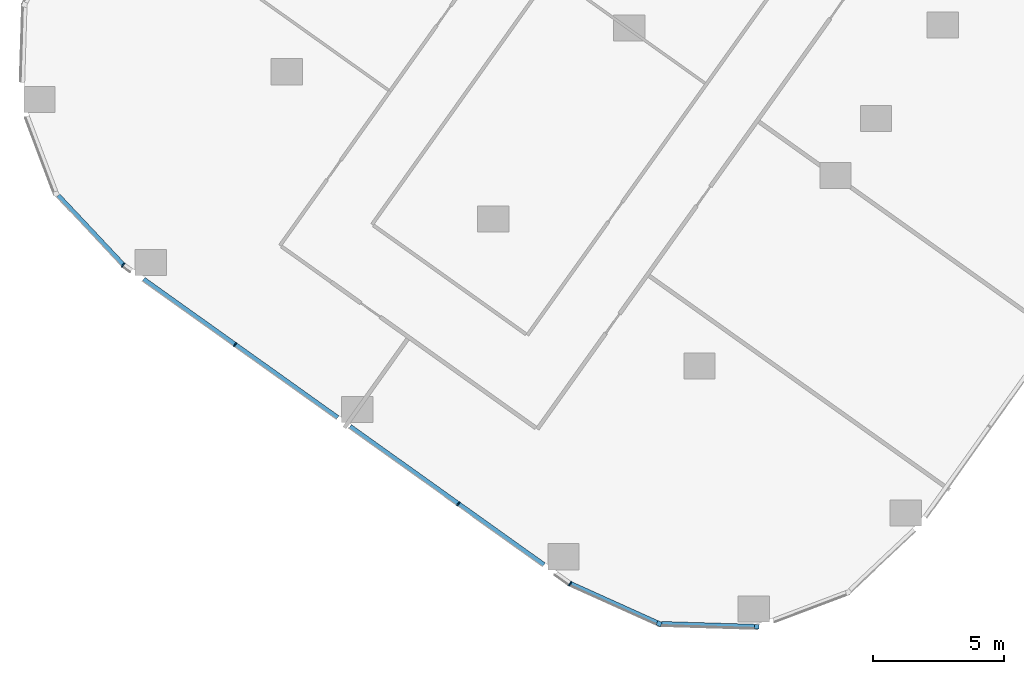
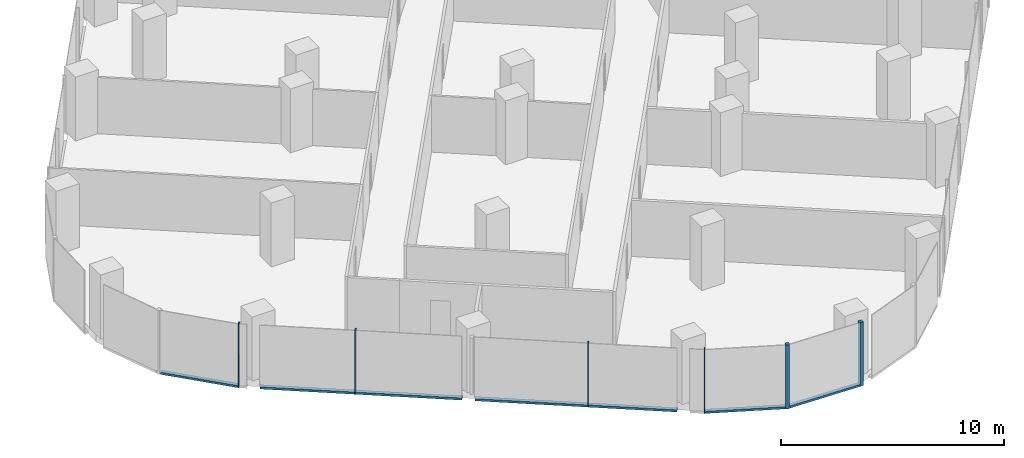
# One storey, part 2 of 31: 11 members, 4 elements without a shape of their own.
"""IFC4 building model written with IfcOpenShell, lengths in metres."""

from ifc_helpers import new_model, si_unit, direction, frame, origin, origin_2d, place, context, subcontext, project, spatial, rectangle, extrude, material, material_profile, profile_set, type_object, element, aggregate, save


model = new_model("IFC4")

# Units and contexts
model_context = context("Model", 3, precision=1e-05, world=origin(), true_north=direction((0.0, 1.0)))
body_context = subcontext(model_context, "Body", "Model", "MODEL_VIEW")
ifc_project = project(units=[si_unit("LENGTHUNIT", "METRE"), si_unit("AREAUNIT", "SQUARE_METRE"), si_unit("VOLUMEUNIT", "CUBIC_METRE"), si_unit("PLANEANGLEUNIT", "RADIAN"), si_unit("MASSUNIT", "GRAM", prefix="KILO")], contexts=[model_context])

# Site, building, storey
site_placement = place(None, origin())
site = spatial("IfcSite", under=ifc_project, at=site_placement, CompositionType="ELEMENT")
building_placement = place(site_placement, origin())
building = spatial("IfcBuilding", under=site, at=building_placement, Name="Orlundy Tower", CompositionType="ELEMENT")
storey_placement = place(building_placement, frame((0.0, 0.0, 87.699951171875)))
storey = spatial("IfcBuildingStorey", under=building, at=storey_placement, Name="L21", CompositionType="ELEMENT", Elevation=87.699951171875)

# Curtain wall, member
ifc_material_1 = material(Name="Aluminium bronze anodised", Category="aluminium")
curtain_wall_type = type_object("IfcCurtainWallType", Name="CW1 wall", PredefinedType="NOTDEFINED", material=ifc_material_1)
curtain_wall_1_placement = place(storey_placement, origin())
curtain_wall_1 = element("IfcCurtainWall", 1, at=curtain_wall_1_placement, inside=storey, type_object=curtain_wall_type, Name="CW1 run 021", PredefinedType="NOTDEFINED")
ifc_material_2 = material(Name="Aluminium bronze anodised", Category="aluminium")
ifc_material_profile_1 = material_profile(ifc_material_2, rectangle(XDim=0.179931640625, YDim=0.179931640625, at=origin_2d()), Name="CW1 corner post 180x180")
ifc_profile_set_1 = profile_set([ifc_material_profile_1], Name="Aluminium bronze anodised")
member_type_1 = type_object("IfcMemberType", Name="CW1 corner post 180x180", PredefinedType="MULLION", material=ifc_profile_set_1)
member_1_placement = place(storey_placement, frame((-19.48486328125, -57.077392578125, -0.39990234375), z_axis=(0.0, 0.0, 1.0), x_axis=(-0.030485149754, -0.999535219812, 0.0)))
member_1 = element("IfcMember", 2, at=member_1_placement, type_object=member_type_1, Name="CW1 mullion 59", PredefinedType="MULLION", context=body_context, shape_type="SweptSolid", body=[
    extrude(rectangle(XDim=0.179931640625, YDim=0.179931640625, at=origin_2d()), origin(), (0.0, 0.0, 1.0), 3.5),
])

curtain_wall_2_placement = place(storey_placement, origin())
curtain_wall_2 = element("IfcCurtainWall", 3, at=curtain_wall_2_placement, inside=storey, type_object=curtain_wall_type, Name="CW1 run 022", PredefinedType="NOTDEFINED")
member_2_placement = place(storey_placement, frame((-23.2255859375, -56.96337890625, -0.39990234375), z_axis=(0.0, 0.0, 1.0), x_axis=(-0.410914311157, -0.911673970719, 0.0)))
member_2 = element("IfcMember", 4, at=member_2_placement, type_object=member_type_1, Name="CW1 mullion 60", PredefinedType="MULLION", context=body_context, shape_type="SweptSolid", body=[
    extrude(rectangle(XDim=0.179931640625, YDim=0.179931640625, at=origin_2d()), origin(), (0.0, 0.0, 1.0), 3.5),
])

# Curtain wall, members
curtain_wall_3_placement = place(storey_placement, origin())
curtain_wall_3 = element("IfcCurtainWall", 5, at=curtain_wall_3_placement, inside=storey, type_object=curtain_wall_type, Name="CW1 run 023", PredefinedType="NOTDEFINED")
ifc_material_3 = material(Name="Aluminium bronze anodised", Category="aluminium")
ifc_material_profile_2 = material_profile(ifc_material_3, rectangle(XDim=0.179931640625, YDim=0.050048828125, at=origin_2d()), Name="CW1 mullion 50x180")
ifc_profile_set_2 = profile_set([ifc_material_profile_2], Name="Aluminium bronze anodised")
member_type_2 = type_object("IfcMemberType", Name="CW1 mullion 50x180", PredefinedType="MULLION", material=ifc_profile_set_2)
member_3_placement = place(storey_placement, frame((-26.629150390625, -55.429443359375, -0.39990234375), z_axis=(0.0, 0.0, 1.0), x_axis=(-0.498182691768, -0.867072087905, 0.0)))
member_3 = element("IfcMember", 6, at=member_3_placement, type_object=member_type_2, Name="CW1 mullion 61", PredefinedType="MULLION", context=body_context, shape_type="SweptSolid", body=[
    extrude(rectangle(XDim=0.179931640625, YDim=0.050048828125, at=origin_2d()), origin(), (0.0, 0.0, 1.0), 3.5),
])
member_4_placement = place(storey_placement, frame((-30.910400390625, -52.375732421875, -0.39990234375), z_axis=(0.0, 0.0, 1.0), x_axis=(-0.580665978686, -0.814141892545, 0.0)))
member_4 = element("IfcMember", 7, at=member_4_placement, type_object=member_type_2, Name="CW1 mullion 62", PredefinedType="MULLION", context=body_context, shape_type="SweptSolid", body=[
    extrude(rectangle(XDim=0.179931640625, YDim=0.050048828125, at=origin_2d()), origin(), (0.0, 0.0, 1.0), 3.5),
])
member_5_placement = place(storey_placement, frame((-39.458984375, -46.27880859375, -0.39990234375), z_axis=(0.0, 0.0, 1.0), x_axis=(-0.580665978686, -0.814141892545, 0.0)))
member_5 = element("IfcMember", 8, at=member_5_placement, type_object=member_type_2, Name="CW1 mullion 64", PredefinedType="MULLION", context=body_context, shape_type="SweptSolid", body=[
    extrude(rectangle(XDim=0.179931640625, YDim=0.050048828125, at=origin_2d()), origin(), (0.0, 0.0, 1.0), 3.5),
])

# Curtain wall, member
curtain_wall_4_placement = place(storey_placement, origin())
curtain_wall_4 = element("IfcCurtainWall", 9, at=curtain_wall_4_placement, inside=storey, type_object=curtain_wall_type, Name="CW1 run 024", PredefinedType="NOTDEFINED")
member_6_placement = place(storey_placement, frame((-43.740478515625, -43.22509765625, -0.39990234375), z_axis=(0.0, 0.0, 1.0), x_axis=(-0.65767995209, -0.753297471534, 0.0)))
member_6 = element("IfcMember", 10, at=member_6_placement, type_object=member_type_2, Name="CW1 mullion 65", PredefinedType="MULLION", context=body_context, shape_type="SweptSolid", body=[
    extrude(rectangle(XDim=0.179931640625, YDim=0.050048828125, at=origin_2d()), origin(), (0.0, 0.0, 1.0), 3.5),
])

# Member
ifc_material_4 = material(Name="Aluminium bronze anodised", Category="aluminium")
ifc_material_profile_3 = material_profile(ifc_material_4, rectangle(XDim=0.179931640625, YDim=0.1201171875, at=origin_2d()), Name="CW1 transom 180x120")
ifc_profile_set_3 = profile_set([ifc_material_profile_3], Name="Aluminium bronze anodised")
member_type_3 = type_object("IfcMemberType", Name="CW1 transom 180x120", PredefinedType="USERDEFINED", material=ifc_profile_set_3)
member_7_placement = place(storey_placement, frame((-19.57470703125, -57.07470703125, -0.33984375), z_axis=(-0.999535047536, 0.03049079774, 0.0), x_axis=(-0.03049079774, -0.999535047536, 0.0)))
member_7 = element("IfcMember", 11, at=member_7_placement, type_object=member_type_3, Name="CW1 transom", ObjectType="TRANSOM", PredefinedType="USERDEFINED", context=body_context, shape_type="SweptSolid", body=[
    extrude(rectangle(XDim=0.179931640625, YDim=0.1201171875, at=origin_2d()), origin(), (0.0, 0.0, 1.0), 3.55517578125),
])

aggregate(curtain_wall_1, [member_1, member_7])

member_8_placement = place(storey_placement, frame((-23.3076171875, -56.926513671875, -0.33984375), z_axis=(-0.911667559509, 0.410928535076, 0.0), x_axis=(-0.410928535076, -0.911667559509, 0.0)))
member_8 = element("IfcMember", 12, at=member_8_placement, type_object=member_type_3, Name="CW1 transom", ObjectType="TRANSOM", PredefinedType="USERDEFINED", context=body_context, shape_type="SweptSolid", body=[
    extrude(rectangle(XDim=0.179931640625, YDim=0.1201171875, at=origin_2d()), origin(), (0.0, 0.0, 1.0), 3.6181640625),
])

aggregate(curtain_wall_2, [member_2, member_8])

member_9_placement = place(storey_placement, frame((-27.636962890625, -54.71044921875, -0.33984375), z_axis=(-0.814145758742, 0.580660557919, 0.0), x_axis=(-0.580660557919, -0.814145758742, 0.0)))
member_9 = element("IfcMember", 13, at=member_9_placement, type_object=member_type_3, Name="CW1 transom", ObjectType="TRANSOM", PredefinedType="USERDEFINED", context=body_context, shape_type="SweptSolid", body=[
    extrude(rectangle(XDim=0.179931640625, YDim=0.1201171875, at=origin_2d()), origin(), (0.0, 0.0, 1.0), 9.117919921875),
])

member_10_placement = place(storey_placement, frame((-35.533935546875, -49.078125, -0.33984375), z_axis=(-0.814143896454, 0.580663169029, 0.0), x_axis=(-0.580663169029, -0.814143896454, 0.0)))
member_10 = element("IfcMember", 14, at=member_10_placement, type_object=member_type_3, Name="CW1 transom", ObjectType="TRANSOM", PredefinedType="USERDEFINED", context=body_context, shape_type="SweptSolid", body=[
    extrude(rectangle(XDim=0.179931640625, YDim=0.1201171875, at=origin_2d()), origin(), (0.0, 0.0, 1.0), 9.119140625),
])

aggregate(curtain_wall_3, [member_3, member_4, member_5, member_9, member_10])

member_11_placement = place(storey_placement, frame((-43.7578125, -43.206787109375, -0.33984375), z_axis=(-0.68521073511, 0.7283448692, 0.0), x_axis=(-0.7283448692, -0.68521073511, 0.0)))
member_11 = element("IfcMember", 15, at=member_11_placement, type_object=member_type_3, Name="CW1 transom", ObjectType="TRANSOM", PredefinedType="USERDEFINED", context=body_context, shape_type="SweptSolid", body=[
    extrude(rectangle(XDim=0.179931640625, YDim=0.1201171875, at=origin_2d()), origin(), (0.0, 0.0, 1.0), 3.611083984375),
])

aggregate(curtain_wall_4, [member_6, member_11])

save(model, "model.ifc")
